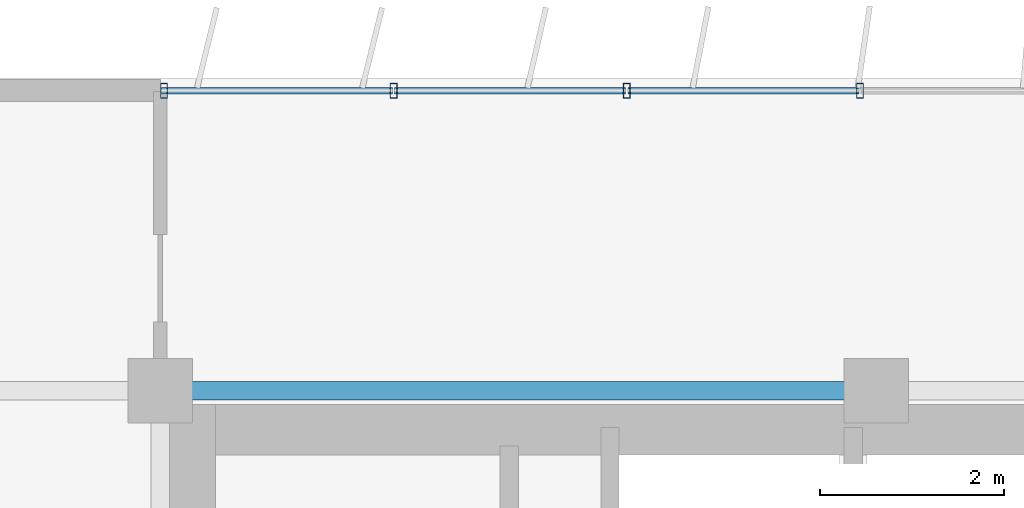
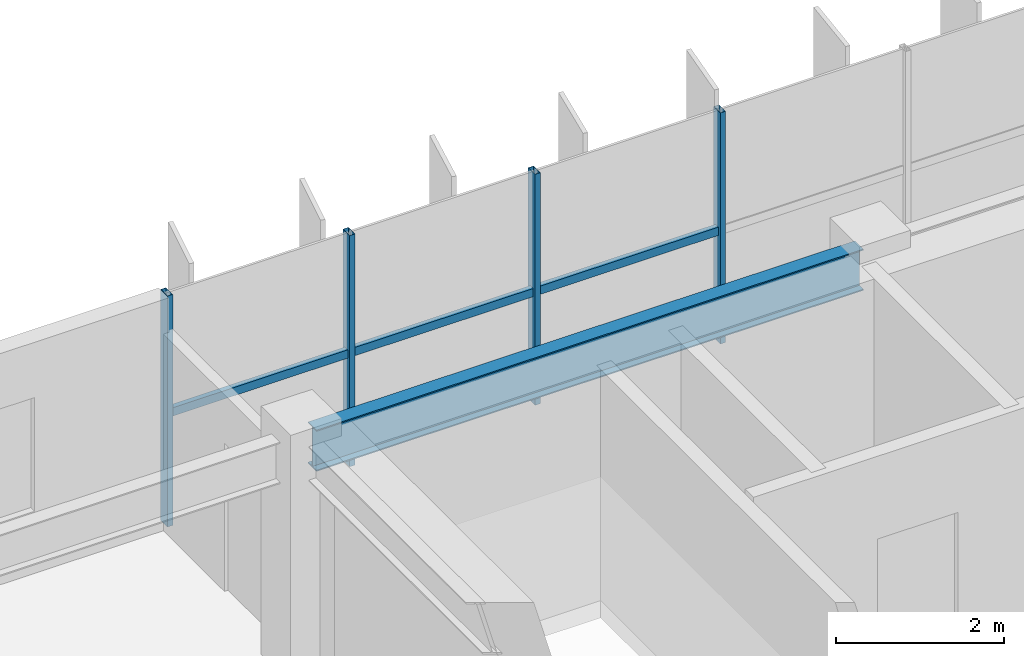
# One storey, part 4 of 21: 7 members, 1 beam, 1 element without a shape of its own.
"""IFC4 building model written with IfcOpenShell, lengths in metres."""

from ifc_helpers import new_model, si_unit, direction, frame, origin, origin_2d, place, context, subcontext, project, spatial, hollow_rectangle, i_section, extrude, source, transform, mapped, material, material_profile, profile_set, type_object, element, aggregate, save


model = new_model("IFC4")

# Units and contexts
model_context = context("Model", 3, precision=1e-05, world=origin(), true_north=direction((0.0, 1.0)))
body_context = subcontext(model_context, "Body", "Model", "MODEL_VIEW")
ifc_project = project(units=[si_unit("LENGTHUNIT", "METRE"), si_unit("AREAUNIT", "SQUARE_METRE"), si_unit("VOLUMEUNIT", "CUBIC_METRE"), si_unit("PLANEANGLEUNIT", "RADIAN"), si_unit("MASSUNIT", "GRAM", prefix="KILO")], contexts=[model_context])

# Site, building, storey
site_placement = place(None, origin())
site = spatial("IfcSite", under=ifc_project, at=site_placement, CompositionType="ELEMENT")
building_placement = place(site_placement, origin())
building = spatial("IfcBuilding", under=site, at=building_placement, Name="Trelvane Seafront Commons", CompositionType="ELEMENT")
storey_placement = place(building_placement, frame((0.0, 0.0, 153.699951171875)))
storey = spatial("IfcBuildingStorey", under=building, at=storey_placement, Name="L40", CompositionType="ELEMENT", Elevation=153.699951171875)

# Beam
ifc_material_1 = material(Name="Steel SM355 (S355)", Category="steel")
ifc_material_profile_1 = material_profile(ifc_material_1, i_section(OverallWidth=0.199951171875, OverallDepth=0.60009765625, WebThickness=0.010986328125, FlangeThickness=0.01708984375, at=origin_2d()), Name="H-600x200x11x17")
ifc_profile_set_1 = profile_set([ifc_material_profile_1], Name="Steel SM355 (S355)")
beam_type = type_object("IfcBeamType", Name="STR-SPD-H600", PredefinedType="SPANDREL", material=ifc_profile_set_1)
shared_shape_1 = source(origin(), body_context, "Body", "SweptSolid", [
    extrude(i_section(OverallWidth=0.199951171875, OverallDepth=0.60009765625, WebThickness=0.010986328125, FlangeThickness=0.01708984375, at=origin_2d()), origin(), (0.0, 0.0, 1.0), 7.5),
])
beam_placement = place(storey_placement, frame((15.75, 45.10009765625, 3.050048828125), z_axis=(1.0, 0.0, 0.0), x_axis=(0.0, 1.0, 0.0)))
element("IfcBeam", 1, at=beam_placement, inside=storey, type_object=beam_type, Name="L40 Primary Girder G-23", PredefinedType="SPANDREL", context=body_context, shape_type="MappedRepresentation", body=[
    mapped(shared_shape_1, transform((0.0, 0.0, 0.0), x_axis=(1.0, 0.0, 0.0), y_axis=(0.0, 1.0, 0.0), z_axis=(0.0, 0.0, 1.0), scale=1.0)),
])

# Curtain wall, members
ifc_material_2 = material(Name="Anodised pale-silver aluminium", Category="aluminium")
curtain_wall_type = type_object("IfcCurtainWallType", Name="ARCH-CW5-UPTOWER", PredefinedType="NOTDEFINED", material=ifc_material_2)
curtain_wall_placement = place(storey_placement, origin())
curtain_wall = element("IfcCurtainWall", 2, at=curtain_wall_placement, inside=storey, type_object=curtain_wall_type, Name="CW-L40-0067", PredefinedType="NOTDEFINED")
ifc_material_profile_2 = material_profile(ifc_material_2, hollow_rectangle(XDim=0.070068359375, YDim=0.1201171875, WallThickness=0.00390625, at=origin_2d()), Name="TRAN-70x120x4")
ifc_profile_set_2 = profile_set([ifc_material_profile_2], Name="Anodised pale-silver aluminium")
member_type_1 = type_object("IfcMemberType", Name="ARCH-CW-TRAN-120", PredefinedType="USERDEFINED", material=ifc_profile_set_2)
shared_shape_2 = source(origin(), body_context, "Body", "SweptSolid", [
    extrude(hollow_rectangle(XDim=0.070068359375, YDim=0.1201171875, WallThickness=0.00390625, at=origin_2d()), origin(), (0.0, 0.0, 1.0), 2.51708984375),
])
member_1_placement = place(storey_placement, frame((15.612060546875, 48.3701171875, 1.608154296875), z_axis=(1.0, 0.0, 0.0), x_axis=(0.0, 1.0, 0.0)))
member_1 = element("IfcMember", 3, at=member_1_placement, type_object=member_type_1, Name="CW-L40-0067-T00", ObjectType="TRANSOM", PredefinedType="USERDEFINED", context=body_context, shape_type="MappedRepresentation", body=[
    mapped(shared_shape_2, transform((0.0, 0.0, 0.0), x_axis=(1.0, 0.0, 0.0), y_axis=(0.0, 1.0, 0.0), z_axis=(0.0, 0.0, 1.0), scale=1.0)),
])
member_2_placement = place(storey_placement, frame((18.1533203125, 48.3701171875, 1.608154296875), z_axis=(1.0, 0.0, 0.0), x_axis=(0.0, 1.0, 0.0)))
member_2 = element("IfcMember", 4, at=member_2_placement, type_object=member_type_1, Name="CW-L40-0067-T01", ObjectType="TRANSOM", PredefinedType="USERDEFINED", context=body_context, shape_type="MappedRepresentation", body=[
    mapped(shared_shape_2, transform((0.0, 0.0, 0.0), x_axis=(1.0, 0.0, 0.0), y_axis=(0.0, 1.0, 0.0), z_axis=(0.0, 0.0, 1.0), scale=1.0)),
])
member_3_placement = place(storey_placement, frame((20.6943359375, 48.3701171875, 1.608154296875), z_axis=(1.0, 0.0, 0.0), x_axis=(0.0, 1.0, 0.0)))
member_3 = element("IfcMember", 5, at=member_3_placement, type_object=member_type_1, Name="CW-L40-0067-T02", ObjectType="TRANSOM", PredefinedType="USERDEFINED", context=body_context, shape_type="MappedRepresentation", body=[
    mapped(shared_shape_2, transform((0.0, 0.0, 0.0), x_axis=(1.0, 0.0, 0.0), y_axis=(0.0, 1.0, 0.0), z_axis=(0.0, 0.0, 1.0), scale=1.0)),
])
ifc_material_profile_3 = material_profile(ifc_material_2, hollow_rectangle(XDim=0.074951171875, YDim=0.159912109375, WallThickness=0.00390625, at=origin_2d()), Name="MULL-75x160x4")
ifc_profile_set_3 = profile_set([ifc_material_profile_3], Name="Anodised pale-silver aluminium")
member_type_2 = type_object("IfcMemberType", Name="ARCH-CW-MULL-160", PredefinedType="MULLION", material=ifc_profile_set_3)
shared_shape_3 = source(origin(), body_context, "Body", "SweptSolid", [
    extrude(hollow_rectangle(XDim=0.074951171875, YDim=0.159912109375, WallThickness=0.00390625, at=origin_2d()), origin(), (0.0, 0.0, 1.0), 3.35009765625),
])
member_4_placement = place(storey_placement, frame((15.639892578125, 48.3701171875, 0.0), z_axis=(0.0, 0.0, 1.0), x_axis=(1.0, 0.0, 0.0)))
member_4 = element("IfcMember", 6, at=member_4_placement, type_object=member_type_2, Name="CW-L40-0067-M00", PredefinedType="MULLION", context=body_context, shape_type="MappedRepresentation", body=[
    mapped(shared_shape_3, transform((0.0, 0.0, 0.0), x_axis=(1.0, 0.0, 0.0), y_axis=(0.0, 1.0, 0.0), z_axis=(0.0, 0.0, 1.0), scale=1.0)),
])
member_5_placement = place(storey_placement, frame((18.14111328125, 48.3701171875, 0.0), z_axis=(0.0, 0.0, 1.0), x_axis=(1.0, 0.0, 0.0)))
member_5 = element("IfcMember", 7, at=member_5_placement, type_object=member_type_2, Name="CW-L40-0067-M01", PredefinedType="MULLION", context=body_context, shape_type="MappedRepresentation", body=[
    mapped(shared_shape_3, transform((0.0, 0.0, 0.0), x_axis=(1.0, 0.0, 0.0), y_axis=(0.0, 1.0, 0.0), z_axis=(0.0, 0.0, 1.0), scale=1.0)),
])
member_6_placement = place(storey_placement, frame((20.682373046875, 48.3701171875, 0.0), z_axis=(0.0, 0.0, 1.0), x_axis=(1.0, 0.0, 0.0)))
member_6 = element("IfcMember", 8, at=member_6_placement, type_object=member_type_2, Name="CW-L40-0067-M02", PredefinedType="MULLION", context=body_context, shape_type="MappedRepresentation", body=[
    mapped(shared_shape_3, transform((0.0, 0.0, 0.0), x_axis=(1.0, 0.0, 0.0), y_axis=(0.0, 1.0, 0.0), z_axis=(0.0, 0.0, 1.0), scale=1.0)),
])
member_7_placement = place(storey_placement, frame((23.223388671875, 48.3701171875, 0.0), z_axis=(0.0, 0.0, 1.0), x_axis=(1.0, 0.0, 0.0)))
member_7 = element("IfcMember", 9, at=member_7_placement, type_object=member_type_2, Name="CW-L40-0067-M03", PredefinedType="MULLION", context=body_context, shape_type="MappedRepresentation", body=[
    mapped(shared_shape_3, transform((0.0, 0.0, 0.0), x_axis=(1.0, 0.0, 0.0), y_axis=(0.0, 1.0, 0.0), z_axis=(0.0, 0.0, 1.0), scale=1.0)),
])
aggregate(curtain_wall, [member_4, member_5, member_6, member_7, member_1, member_2, member_3])

save(model, "model.ifc")
